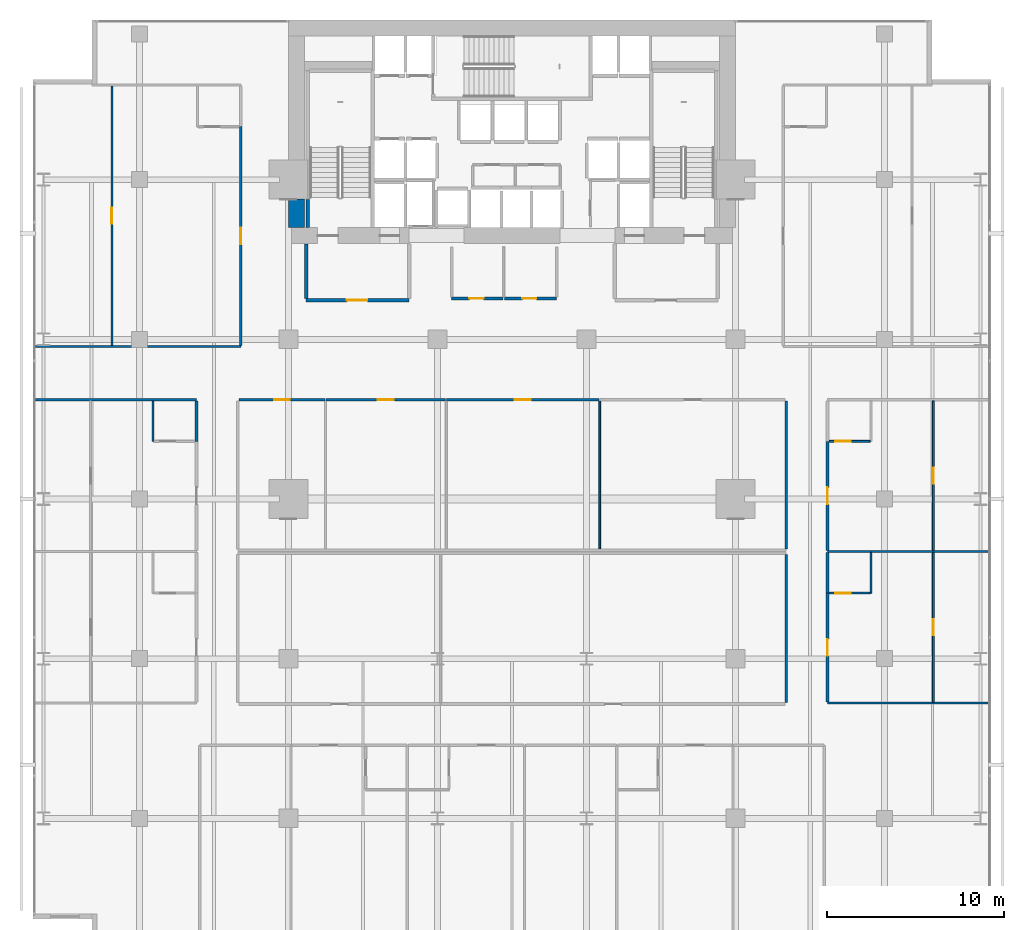
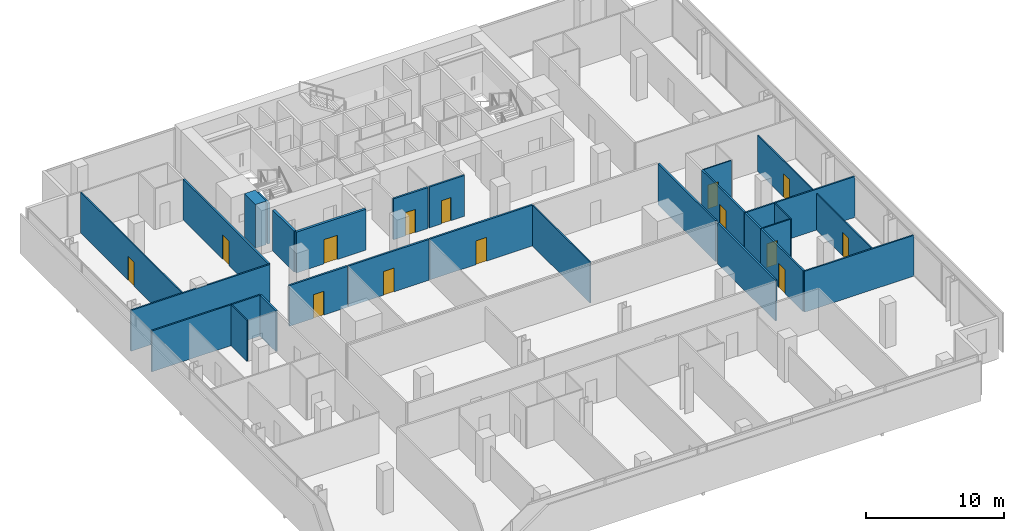
# One storey, part 34 of 40: 28 walls, 14 doors, 14 openings.
"""IFC4 building model written with IfcOpenShell, lengths in metres."""

from ifc_helpers import new_model, si_unit, direction, frame, frame_2d, origin, place, context, subcontext, project, spatial, rectangle, extrude, material, layer, layer_set, type_object, element, fill, save


model = new_model("IFC4")

# Units and contexts
model_context = context("Model", 3, precision=1e-05, world=origin(), true_north=direction((0.0, 1.0)))
body_context = subcontext(model_context, "Body", "Model", "MODEL_VIEW")
ifc_project = project(units=[si_unit("LENGTHUNIT", "METRE"), si_unit("AREAUNIT", "SQUARE_METRE"), si_unit("VOLUMEUNIT", "CUBIC_METRE"), si_unit("PLANEANGLEUNIT", "RADIAN"), si_unit("MASSUNIT", "GRAM", prefix="KILO")], contexts=[model_context])

# Site, building, storey
site_placement = place(None, origin())
site = spatial("IfcSite", under=ifc_project, at=site_placement, CompositionType="ELEMENT")
building_placement = place(site_placement, origin())
building = spatial("IfcBuilding", under=site, at=building_placement, Name="Maruvema Waterfront Hotel and Observation Tower", CompositionType="ELEMENT")
storey_placement = place(building_placement, frame((0.0, 0.0, 73.14990234375)))
storey = spatial("IfcBuildingStorey", under=building, at=storey_placement, Name="L17", CompositionType="ELEMENT", Elevation=73.14990234375)

# Wall, opening, door
ifc_material_1 = material(Name="Twin-stud acoustic gypsum drywall", Category="gypsum")
ifc_layer_1 = layer(ifc_material_1, 0.14990234375, Name="Acoustic Corridor and Suite Demising Wall 150 mm")
ifc_layer_set_1 = layer_set([ifc_layer_1], Name="Twin-stud acoustic gypsum drywall")
wall_type_1 = type_object("IfcWallType", Name="Acoustic Corridor and Suite Demising Wall 150 mm", PredefinedType="PARTITIONING", material=ifc_layer_set_1)
wall_1_placement = place(storey_placement, frame((34.39990234375, 38.300048828125, 0.0), z_axis=(0.0, 0.0, 1.0), x_axis=(1.0, 0.0, 0.0)))
wall_1 = element("IfcWall", 1, at=wall_1_placement, inside=storey, type_object=wall_type_1, Name="L17 Core Apron K2A South 017", PredefinedType="PARTITIONING", context=body_context, shape_type="SweptSolid", body=[
    extrude(rectangle(XDim=2.880126953125, YDim=0.14990234375, at=frame_2d((1.43994140625, 0.0))), origin(), (0.0, 0.0, 1.0), 3.610107421875),
])
opening_1_placement = place(wall_1_placement, frame((1.0, 0.0, 0.0)))
opening_1 = element("IfcOpeningElement", 2, at=opening_1_placement, cuts=wall_1, Name="Opening DR-080", PredefinedType="OPENING", context=body_context, shape_type="SweptSolid", body=[
    extrude(rectangle(XDim=0.800048828125, YDim=2.050048828125, at=frame_2d((0.39990234375, 1.02490234375))), frame((0.0, 0.0849609375, 0.0), z_axis=(0.0, -1.0, 0.0), x_axis=(1.0, 0.0, 0.0)), (0.0, 0.0, 1.0), 0.169921875),
])
ifc_material_2 = material(Name="Powder-coated steel access leaf", Category="steel")
door_type_1 = type_object("IfcDoorType", Name="Riser and Service Cupboard Door 800x2050 mm", OperationType="NOTDEFINED", PredefinedType="DOOR", material=ifc_material_2)
door_1_placement = place(opening_1_placement, frame((0.800048828125, 0.0, 0.0), z_axis=(0.0, 0.0, 1.0), x_axis=(-1.0, 0.0, 0.0)))
door_1 = element("IfcDoor", 3, at=door_1_placement, inside=storey, type_object=door_type_1, Name="L17 Core Ice Alcove Door", OperationType="SINGLE_SWING_RIGHT", OverallHeight=2.050048828125, OverallWidth=0.800048828125, PredefinedType="DOOR", context=body_context, shape_type="SweptSolid", body=[
    extrude(rectangle(XDim=0.800048828125, YDim=2.050048828125, at=frame_2d((0.39990234375, 1.02490234375))), frame((0.0, 0.02490234375, 0.0), z_axis=(0.0, -1.0, 0.0), x_axis=(1.0, 0.0, 0.0)), (0.0, 0.0, 1.0), 0.050048828125),
])
fill(opening_1, door_1)

wall_2_placement = place(storey_placement, frame((37.3798828125, 38.300048828125, 0.0), z_axis=(0.0, 0.0, 1.0), x_axis=(1.0, 0.0, 0.0)))
wall_2 = element("IfcWall", 4, at=wall_2_placement, inside=storey, type_object=wall_type_1, Name="L17 Core Apron K2B South 018", PredefinedType="PARTITIONING", context=body_context, shape_type="SweptSolid", body=[
    extrude(rectangle(XDim=2.940185546875, YDim=0.14990234375, at=frame_2d((1.47021484375, 0.0))), origin(), (0.0, 0.0, 1.0), 3.610107421875),
])
opening_2_placement = place(wall_2_placement, frame((1.0, 0.0, 0.0)))
opening_2 = element("IfcOpeningElement", 5, at=opening_2_placement, cuts=wall_2, Name="Opening DR-080", PredefinedType="OPENING", context=body_context, shape_type="SweptSolid", body=[
    extrude(rectangle(XDim=0.800048828125, YDim=2.050048828125, at=frame_2d((0.39990234375, 1.02490234375))), frame((0.0, 0.0849609375, 0.0), z_axis=(0.0, -1.0, 0.0), x_axis=(1.0, 0.0, 0.0)), (0.0, 0.0, 1.0), 0.169921875),
])
door_2_placement = place(opening_2_placement, frame((0.800048828125, 0.0, 0.0), z_axis=(0.0, 0.0, 1.0), x_axis=(-1.0, 0.0, 0.0)))
door_2 = element("IfcDoor", 6, at=door_2_placement, inside=storey, type_object=door_type_1, Name="L17 Core Valet Closet Door", OperationType="SINGLE_SWING_LEFT", OverallHeight=2.050048828125, OverallWidth=0.800048828125, PredefinedType="DOOR", context=body_context, shape_type="SweptSolid", body=[
    extrude(rectangle(XDim=0.800048828125, YDim=2.050048828125, at=frame_2d((0.39990234375, 1.02490234375))), frame((0.0, 0.02490234375, 0.0), z_axis=(0.0, -1.0, 0.0), x_axis=(1.0, 0.0, 0.0)), (0.0, 0.0, 1.0), 0.050048828125),
])
fill(opening_2, door_2)

# Wall
wall_3_placement = place(storey_placement, frame((53.25, 24.18994140625, 0.0), z_axis=(0.0, 0.0, 1.0), x_axis=(0.0, 1.0, 0.0)))
element("IfcWall", 7, at=wall_3_placement, inside=storey, type_object=wall_type_1, Name="L17 L17-INTN East Wall 024", PredefinedType="PARTITIONING", context=body_context, shape_type="SweptSolid", body=[
    extrude(rectangle(XDim=8.330078125, YDim=0.14990234375, at=frame_2d((4.1650390625, 0.0))), origin(), (0.0, 0.0, 1.0), 3.610107421875),
])

# Wall, opening, door
wall_4_placement = place(storey_placement, frame((22.409912109375, 32.60009765625, 0.0), z_axis=(0.0, 0.0, 1.0), x_axis=(1.0, 0.0, 0.0)))
wall_4 = element("IfcWall", 8, at=wall_4_placement, inside=storey, type_object=wall_type_1, Name="L17 L17-INTN Front 1 025", PredefinedType="PARTITIONING", context=body_context, shape_type="SweptSolid", body=[
    extrude(rectangle(XDim=4.85400390625, YDim=0.14990234375, at=frame_2d((2.427001953125, 0.0))), origin(), (0.0, 0.0, 1.0), 3.610107421875),
])
opening_3_placement = place(wall_4_placement, frame((1.97705078125, 0.0, 0.0)))
opening_3 = element("IfcOpeningElement", 9, at=opening_3_placement, cuts=wall_4, Name="Opening DR-090", PredefinedType="OPENING", context=body_context, shape_type="SweptSolid", body=[
    extrude(rectangle(XDim=0.89990234375, YDim=2.10009765625, at=frame_2d((0.449951171875, 1.050048828125))), frame((0.0, 0.0849609375, 0.0), z_axis=(0.0, -1.0, 0.0), x_axis=(1.0, 0.0, 0.0)), (0.0, 0.0, 1.0), 0.169921875),
])
ifc_material_3 = material(Name="Solid-core lacquered timber leaf", Category="wood")
door_type_2 = type_object("IfcDoorType", Name="Accessible Toilet and Room Door 900x2100 mm", OperationType="NOTDEFINED", PredefinedType="DOOR", material=ifc_material_3)
door_3_placement = place(opening_3_placement, origin())
door_3 = element("IfcDoor", 10, at=door_3_placement, inside=storey, type_object=door_type_2, Name="L17 Diplomatic Dining Kitchen Door", OperationType="SINGLE_SWING_RIGHT", OverallHeight=2.10009765625, OverallWidth=0.89990234375, PredefinedType="DOOR", context=body_context, shape_type="SweptSolid", body=[
    extrude(rectangle(XDim=0.89990234375, YDim=2.10009765625, at=frame_2d((0.449951171875, 1.050048828125))), frame((0.0, 0.02490234375, 0.0), z_axis=(0.0, -1.0, 0.0), x_axis=(1.0, 0.0, 0.0)), (0.0, 0.0, 1.0), 0.050048828125),
])
fill(opening_3, door_3)

wall_5_placement = place(storey_placement, frame((27.323974609375, 32.60009765625, 0.0), z_axis=(0.0, 0.0, 1.0), x_axis=(1.0, 0.0, 0.0)))
wall_5 = element("IfcWall", 11, at=wall_5_placement, inside=storey, type_object=wall_type_1, Name="L17 L17-INTN Front 2 027", PredefinedType="PARTITIONING", context=body_context, shape_type="SweptSolid", body=[
    extrude(rectangle(XDim=6.738037109375, YDim=0.14990234375, at=frame_2d((3.369140625, 0.0))), origin(), (0.0, 0.0, 1.0), 3.610107421875),
])
opening_4_placement = place(wall_5_placement, frame((2.9189453125, 0.0, 0.0)))
opening_4 = element("IfcOpeningElement", 12, at=opening_4_placement, cuts=wall_5, Name="Opening DR-090", PredefinedType="OPENING", context=body_context, shape_type="SweptSolid", body=[
    extrude(rectangle(XDim=0.89990234375, YDim=2.10009765625, at=frame_2d((0.449951171875, 1.050048828125))), frame((0.0, 0.0849609375, 0.0), z_axis=(0.0, -1.0, 0.0), x_axis=(1.0, 0.0, 0.0)), (0.0, 0.0, 1.0), 0.169921875),
])
door_4_placement = place(opening_4_placement, origin())
door_4 = element("IfcDoor", 13, at=door_4_placement, inside=storey, type_object=door_type_2, Name="L17 Private Study Office 1 Door", OperationType="SINGLE_SWING_LEFT", OverallHeight=2.10009765625, OverallWidth=0.89990234375, PredefinedType="DOOR", context=body_context, shape_type="SweptSolid", body=[
    extrude(rectangle(XDim=0.89990234375, YDim=2.10009765625, at=frame_2d((0.449951171875, 1.050048828125))), frame((0.0, 0.02490234375, 0.0), z_axis=(0.0, -1.0, 0.0), x_axis=(1.0, 0.0, 0.0)), (0.0, 0.0, 1.0), 0.050048828125),
])
fill(opening_4, door_4)

wall_6_placement = place(storey_placement, frame((34.1220703125, 32.60009765625, 0.0), z_axis=(0.0, 0.0, 1.0), x_axis=(1.0, 0.0, 0.0)))
wall_6 = element("IfcWall", 14, at=wall_6_placement, inside=storey, type_object=wall_type_1, Name="L17 L17-INTN Front 3 029", PredefinedType="PARTITIONING", context=body_context, shape_type="SweptSolid", body=[
    extrude(rectangle(XDim=8.592041015625, YDim=0.14990234375, at=frame_2d((4.2958984375, 0.0))), origin(), (0.0, 0.0, 1.0), 3.610107421875),
])
opening_5_placement = place(wall_6_placement, frame((3.845947265625, 0.0, 0.0)))
opening_5 = element("IfcOpeningElement", 15, at=opening_5_placement, cuts=wall_6, Name="Opening DR-090", PredefinedType="OPENING", context=body_context, shape_type="SweptSolid", body=[
    extrude(rectangle(XDim=0.89990234375, YDim=2.10009765625, at=frame_2d((0.449951171875, 1.050048828125))), frame((0.0, 0.0849609375, 0.0), z_axis=(0.0, -1.0, 0.0), x_axis=(1.0, 0.0, 0.0)), (0.0, 0.0, 1.0), 0.169921875),
])
door_5_placement = place(opening_5_placement, origin())
door_5 = element("IfcDoor", 16, at=door_5_placement, inside=storey, type_object=door_type_2, Name="L17 Private Study Office 2 Door", OperationType="SINGLE_SWING_RIGHT", OverallHeight=2.10009765625, OverallWidth=0.89990234375, PredefinedType="DOOR", context=body_context, shape_type="SweptSolid", body=[
    extrude(rectangle(XDim=0.89990234375, YDim=2.10009765625, at=frame_2d((0.449951171875, 1.050048828125))), frame((0.0, 0.02490234375, 0.0), z_axis=(0.0, -1.0, 0.0), x_axis=(1.0, 0.0, 0.0)), (0.0, 0.0, 1.0), 0.050048828125),
])
fill(opening_5, door_5)

# Wall
wall_7_placement = place(storey_placement, frame((53.25, 15.530029296875, 0.0), z_axis=(0.0, 0.0, 1.0), x_axis=(0.0, 1.0, 0.0)))
element("IfcWall", 17, at=wall_7_placement, inside=storey, type_object=wall_type_1, Name="L17 L17-INTS East Wall 034", PredefinedType="PARTITIONING", context=body_context, shape_type="SweptSolid", body=[
    extrude(rectangle(XDim=8.340087890625, YDim=0.14990234375, at=frame_2d((4.169921875, 0.0))), origin(), (0.0, 0.0, 1.0), 3.610107421875),
])

# Wall, opening, door
wall_8_placement = place(storey_placement, frame((55.580078125, 15.56005859375, 0.0), z_axis=(0.0, 0.0, 1.0), x_axis=(0.0, 1.0, 0.0)))
wall_8 = element("IfcWall", 18, at=wall_8_placement, inside=storey, type_object=wall_type_1, Name="L17 Room L17-E1 Corridor Wall 069", PredefinedType="PARTITIONING", context=body_context, shape_type="SweptSolid", body=[
    extrude(rectangle(XDim=6.139892578125, YDim=0.14990234375, at=frame_2d((3.06982421875, 0.0))), origin(), (0.0, 0.0, 1.0), 3.610107421875),
])
opening_6_placement = place(wall_8_placement, frame((2.594970703125, 0.0, 0.0)))
opening_6 = element("IfcOpeningElement", 19, at=opening_6_placement, cuts=wall_8, Name="Opening DR-095", PredefinedType="OPENING", context=body_context, shape_type="SweptSolid", body=[
    extrude(rectangle(XDim=0.949951171875, YDim=2.14990234375, at=frame_2d((0.47509765625, 1.074951171875))), frame((0.0, 0.0849609375, 0.0), z_axis=(0.0, -1.0, 0.0), x_axis=(1.0, 0.0, 0.0)), (0.0, 0.0, 1.0), 0.169921875),
])
ifc_material_4 = material(Name="Acoustic solid-core hardwood timber leaf", Category="wood")
door_type_3 = type_object("IfcDoorType", Name="Guestroom Entrance Fire Door 950x2150 mm", OperationType="NOTDEFINED", PredefinedType="DOOR", material=ifc_material_4)
door_6_placement = place(opening_6_placement, frame((0.949951171875, 0.0, 0.0), z_axis=(0.0, 0.0, 1.0), x_axis=(-1.0, 0.0, 0.0)))
door_6 = element("IfcDoor", 20, at=door_6_placement, inside=storey, type_object=door_type_3, Name="L17 Room L17-E1 Entrance Door", OperationType="SINGLE_SWING_LEFT", OverallHeight=2.14990234375, OverallWidth=0.949951171875, PredefinedType="DOOR", context=body_context, shape_type="SweptSolid", body=[
    extrude(rectangle(XDim=0.949951171875, YDim=2.14990234375, at=frame_2d((0.47509765625, 1.074951171875))), frame((0.0, 0.02490234375, 0.0), z_axis=(0.0, -1.0, 0.0), x_axis=(1.0, 0.0, 0.0)), (0.0, 0.0, 1.0), 0.050048828125),
])
fill(opening_6, door_6)

# Walls
for number, where, z_axis, x_axis, name in (
    (21, (55.580078125, 21.699951171875, 0.0), (0.0, 0.0, 1.0), (0.0, 1.0, 0.0), "L17 Bath L17-E1 Wall 070"),
    (22, (20.02001953125, 30.25, 0.0), (0.0, 0.0, 1.0), (0.0, 1.0, 0.0), "L17 Bath L17-W2 Wall 077"),
):
    element("IfcWall", number, at=place(storey_placement, frame(where, z_axis=z_axis, x_axis=x_axis)), inside=storey, type_object=wall_type_1, Name=name, PredefinedType="PARTITIONING", context=body_context, shape_type="SweptSolid", body=[
        extrude(rectangle(XDim=2.2900390625, YDim=0.14990234375, at=frame_2d((1.14501953125, 0.0))), origin(), (0.0, 0.0, 1.0), 3.610107421875),
    ])

# Wall, opening, door
wall_9_placement = place(storey_placement, frame((55.580078125, 24.110107421875, 0.0), z_axis=(0.0, 0.0, 1.0), x_axis=(0.0, 1.0, 0.0)))
wall_9 = element("IfcWall", 23, at=wall_9_placement, inside=storey, type_object=wall_type_1, Name="L17 Room L17-E2 Corridor Wall 081", PredefinedType="PARTITIONING", context=body_context, shape_type="SweptSolid", body=[
    extrude(rectangle(XDim=6.139892578125, YDim=0.14990234375, at=frame_2d((3.06982421875, 0.0))), origin(), (0.0, 0.0, 1.0), 3.610107421875),
])
opening_7_placement = place(wall_9_placement, frame((2.594970703125, 0.0, 0.0)))
opening_7 = element("IfcOpeningElement", 24, at=opening_7_placement, cuts=wall_9, Name="Opening DR-095", PredefinedType="OPENING", context=body_context, shape_type="SweptSolid", body=[
    extrude(rectangle(XDim=0.949951171875, YDim=2.14990234375, at=frame_2d((0.47509765625, 1.074951171875))), frame((0.0, 0.0849609375, 0.0), z_axis=(0.0, -1.0, 0.0), x_axis=(1.0, 0.0, 0.0)), (0.0, 0.0, 1.0), 0.169921875),
])
door_7_placement = place(opening_7_placement, frame((0.949951171875, 0.0, 0.0), z_axis=(0.0, 0.0, 1.0), x_axis=(-1.0, 0.0, 0.0)))
door_7 = element("IfcDoor", 25, at=door_7_placement, inside=storey, type_object=door_type_3, Name="L17 Room L17-E2 Entrance Door", OperationType="SINGLE_SWING_LEFT", OverallHeight=2.14990234375, OverallWidth=0.949951171875, PredefinedType="DOOR", context=body_context, shape_type="SweptSolid", body=[
    extrude(rectangle(XDim=0.949951171875, YDim=2.14990234375, at=frame_2d((0.47509765625, 1.074951171875))), frame((0.0, 0.02490234375, 0.0), z_axis=(0.0, -1.0, 0.0), x_axis=(1.0, 0.0, 0.0)), (0.0, 0.0, 1.0), 0.050048828125),
])
fill(opening_7, door_7)

wall_10_placement = place(storey_placement, frame((22.52001953125, 35.659912109375, 0.0), z_axis=(0.0, 0.0, 1.0), x_axis=(0.0, 1.0, 0.0)))
wall_10 = element("IfcWall", 26, at=wall_10_placement, inside=storey, type_object=wall_type_1, Name="L17 Room L17-NW1 Corridor Wall 090", PredefinedType="PARTITIONING", context=body_context, shape_type="SweptSolid", body=[
    extrude(rectangle(XDim=12.32763671875, YDim=0.14990234375, at=frame_2d((6.163818359375, 0.0))), origin(), (0.0, 0.0, 1.0), 3.610107421875),
])
opening_8_placement = place(wall_10_placement, frame((5.688720703125, 0.0, 0.0)))
opening_8 = element("IfcOpeningElement", 27, at=opening_8_placement, cuts=wall_10, Name="Opening DR-095", PredefinedType="OPENING", context=body_context, shape_type="SweptSolid", body=[
    extrude(rectangle(XDim=0.949951171875, YDim=2.14990234375, at=frame_2d((0.47509765625, 1.074951171875))), frame((0.0, 0.0849609375, 0.0), z_axis=(0.0, -1.0, 0.0), x_axis=(1.0, 0.0, 0.0)), (0.0, 0.0, 1.0), 0.169921875),
])
door_8_placement = place(opening_8_placement, origin())
door_8 = element("IfcDoor", 28, at=door_8_placement, inside=storey, type_object=door_type_3, Name="L17 Room L17-NW1 Entrance Door", OperationType="SINGLE_SWING_RIGHT", OverallHeight=2.14990234375, OverallWidth=0.949951171875, PredefinedType="DOOR", context=body_context, shape_type="SweptSolid", body=[
    extrude(rectangle(XDim=0.949951171875, YDim=2.14990234375, at=frame_2d((0.47509765625, 1.074951171875))), frame((0.0, 0.02490234375, 0.0), z_axis=(0.0, -1.0, 0.0), x_axis=(1.0, 0.0, 0.0)), (0.0, 0.0, 1.0), 0.050048828125),
])
fill(opening_8, door_8)

# Walls
ifc_material_5 = material(Name="Precast concrete C45/55", Category="concrete")
ifc_layer_2 = layer(ifc_material_5, 0.199951171875, Name="Core Shaft and Stairwell Enclosure Wall 200 mm")
ifc_layer_set_2 = layer_set([ifc_layer_2], Name="Precast concrete C45/55")
wall_type_2 = type_object("IfcWallType", Name="Core Shaft and Stairwell Enclosure Wall 200 mm", PredefinedType="SOLIDWALL", material=ifc_layer_set_2)
wall_11_placement = place(storey_placement, frame((26.300048828125, 42.300048828125, 0.0), z_axis=(0.0, 0.0, 1.0), x_axis=(0.0, 1.0, 0.0)))
element("IfcWall", 29, at=wall_11_placement, inside=storey, type_object=wall_type_2, Name="L17 Stairwell ST-01 Shaft Lining Wall", PredefinedType="SOLIDWALL", context=body_context, shape_type="SweptSolid", body=[
    extrude(rectangle(XDim=1.579833984375, YDim=0.199951171875, at=frame_2d((0.7900390625, 0.0))), origin(), (0.0, 0.0, 1.0), 3.610107421875),
])
ifc_material_6 = material(Name="Concrete C80/95", Category="concrete")
ifc_layer_3 = layer(ifc_material_6, 0.89990234375, Name="Core Shear Wall 900 mm")
ifc_layer_set_3 = layer_set([ifc_layer_3], Name="Concrete C80/95")
wall_type_3 = type_object("IfcWallType", Name="Core Shear Wall 900 mm", PredefinedType="SHEAR", material=ifc_layer_set_3)
wall_12_placement = place(storey_placement, frame((25.64990234375, 42.300048828125, 0.0), z_axis=(0.0, 0.0, 1.0), x_axis=(0.0, 1.0, 0.0)))
element("IfcWall", 30, at=wall_12_placement, inside=storey, type_object=wall_type_3, Name="L17 West-South Core Shear Wall", PredefinedType="SHEAR", context=body_context, shape_type="SweptSolid", body=[
    extrude(rectangle(XDim=1.599853515625, YDim=0.89990234375, at=frame_2d((0.7998046875, 0.0))), origin(), (0.0, 0.0, 1.0), 3.85009765625),
])
ifc_material_7 = material(Name="Moisture-resistant cement-board drywall", Category="gypsum")
ifc_layer_4 = layer(ifc_material_7, 0.10009765625, Name="En-Suite Moisture-Resistant Partition 100 mm")
ifc_layer_set_4 = layer_set([ifc_layer_4], Name="Moisture-resistant cement-board drywall")
wall_type_4 = type_object("IfcWallType", Name="En-Suite Moisture-Resistant Partition 100 mm", PredefinedType="PARTITIONING", material=ifc_layer_set_4)
wall_13_placement = place(storey_placement, frame((42.743896484375, 24.18994140625, 0.0), z_axis=(0.0, 0.0, 1.0), x_axis=(0.0, 1.0, 0.0)))
element("IfcWall", 31, at=wall_13_placement, inside=storey, type_object=wall_type_4, Name="L17 L17-INTN Split 3 030", PredefinedType="PARTITIONING", context=body_context, shape_type="SweptSolid", body=[
    extrude(rectangle(XDim=8.330078125, YDim=0.10009765625, at=frame_2d((4.1650390625, 0.0))), origin(), (0.0, 0.0, 1.0), 3.610107421875),
])
wall_14_placement = place(storey_placement, frame((58.030029296875, 21.699951171875, 0.0), z_axis=(0.0, 0.0, 1.0), x_axis=(0.0, 1.0, 0.0)))
element("IfcWall", 32, at=wall_14_placement, inside=storey, type_object=wall_type_4, Name="L17 En-Suite L17-E1 E 071", PredefinedType="PARTITIONING", context=body_context, shape_type="SweptSolid", body=[
    extrude(rectangle(XDim=2.2900390625, YDim=0.10009765625, at=frame_2d((1.14501953125, 0.0))), origin(), (0.0, 0.0, 1.0), 3.610107421875),
])

# Wall, opening, door
wall_15_placement = place(storey_placement, frame((55.679931640625, 21.699951171875, 0.0), z_axis=(0.0, 0.0, 1.0), x_axis=(1.0, 0.0, 0.0)))
wall_15 = element("IfcWall", 33, at=wall_15_placement, inside=storey, type_object=wall_type_4, Name="L17 En-Suite L17-E1 S 072", PredefinedType="PARTITIONING", context=body_context, shape_type="SweptSolid", body=[
    extrude(rectangle(XDim=2.300048828125, YDim=0.10009765625, at=frame_2d((1.14990234375, 0.0))), origin(), (0.0, 0.0, 1.0), 3.610107421875),
])
opening_9_placement = place(wall_15_placement, frame((0.35009765625, 0.0, 0.0)))
opening_9 = element("IfcOpeningElement", 34, at=opening_9_placement, cuts=wall_15, Name="Opening DR-085", PredefinedType="OPENING", context=body_context, shape_type="SweptSolid", body=[
    extrude(rectangle(XDim=0.85009765625, YDim=2.10009765625, at=frame_2d((0.425048828125, 1.050048828125))), frame((0.0, 0.06005859375, 0.0), z_axis=(0.0, -1.0, 0.0), x_axis=(1.0, 0.0, 0.0)), (0.0, 0.0, 1.0), 0.1201171875),
])
ifc_material_8 = material(Name="Moisture-resistant solid timber leaf", Category="wood")
door_type_4 = type_object("IfcDoorType", Name="En-Suite Bathroom Door 850x2100 mm", OperationType="NOTDEFINED", PredefinedType="DOOR", material=ifc_material_8)
door_9_placement = place(opening_9_placement, frame((0.85009765625, 0.0, 0.0), z_axis=(0.0, 0.0, 1.0), x_axis=(-1.0, 0.0, 0.0)))
door_9 = element("IfcDoor", 35, at=door_9_placement, inside=storey, type_object=door_type_4, Name="L17 En-Suite L17-E1 Door", OperationType="SINGLE_SWING_RIGHT", OverallHeight=2.10009765625, OverallWidth=0.85009765625, PredefinedType="DOOR", context=body_context, shape_type="SweptSolid", body=[
    extrude(rectangle(XDim=0.85009765625, YDim=2.10009765625, at=frame_2d((0.425048828125, 1.050048828125))), frame((0.0, 0.02490234375, 0.0), z_axis=(0.0, -1.0, 0.0), x_axis=(1.0, 0.0, 0.0)), (0.0, 0.0, 1.0), 0.050048828125),
])
fill(opening_9, door_9)

wall_16_placement = place(storey_placement, frame((61.55029296875, 15.56005859375, 0.0), z_axis=(0.0, 0.0, 1.0), x_axis=(0.0, 1.0, 0.0)))
wall_16 = element("IfcWall", 36, at=wall_16_placement, inside=storey, type_object=wall_type_4, Name="L17 Suite L17-E1 Split 073", PredefinedType="PARTITIONING", context=body_context, shape_type="SweptSolid", body=[
    extrude(rectangle(XDim=8.429931640625, YDim=0.10009765625, at=frame_2d((4.21484375, 0.0))), origin(), (0.0, 0.0, 1.0), 3.20703125),
])
opening_10_placement = place(wall_16_placement, frame((3.764892578125, 0.0, 0.0)))
opening_10 = element("IfcOpeningElement", 37, at=opening_10_placement, cuts=wall_16, Name="Opening DR-090", PredefinedType="OPENING", context=body_context, shape_type="SweptSolid", body=[
    extrude(rectangle(XDim=0.89990234375, YDim=2.10009765625, at=frame_2d((0.449951171875, 1.050048828125))), frame((0.0, 0.06005859375, 0.0), z_axis=(0.0, -1.0, 0.0), x_axis=(1.0, 0.0, 0.0)), (0.0, 0.0, 1.0), 0.1201171875),
])
door_10_placement = place(opening_10_placement, frame((0.89990234375, 0.0, 0.0), z_axis=(0.0, 0.0, 1.0), x_axis=(-1.0, 0.0, 0.0)))
door_10 = element("IfcDoor", 38, at=door_10_placement, inside=storey, type_object=door_type_2, Name="L17 Suite L17-E1 Bedroom Door", OperationType="SINGLE_SWING_RIGHT", OverallHeight=2.10009765625, OverallWidth=0.89990234375, PredefinedType="DOOR", context=body_context, shape_type="SweptSolid", body=[
    extrude(rectangle(XDim=0.89990234375, YDim=2.10009765625, at=frame_2d((0.449951171875, 1.050048828125))), frame((0.0, 0.02490234375, 0.0), z_axis=(0.0, -1.0, 0.0), x_axis=(1.0, 0.0, 0.0)), (0.0, 0.0, 1.0), 0.050048828125),
])
fill(opening_10, door_10)

# Wall
wall_17_placement = place(storey_placement, frame((17.570068359375, 30.25, 0.0), z_axis=(0.0, 0.0, 1.0), x_axis=(0.0, 1.0, 0.0)))
element("IfcWall", 39, at=wall_17_placement, inside=storey, type_object=wall_type_4, Name="L17 En-Suite L17-W2 W 078", PredefinedType="PARTITIONING", context=body_context, shape_type="SweptSolid", body=[
    extrude(rectangle(XDim=2.2900390625, YDim=0.10009765625, at=frame_2d((1.14501953125, 0.0))), origin(), (0.0, 0.0, 1.0), 3.610107421875),
])

# Wall, opening, door
wall_18_placement = place(storey_placement, frame((55.679931640625, 30.25, 0.0), z_axis=(0.0, 0.0, 1.0), x_axis=(1.0, 0.0, 0.0)))
wall_18 = element("IfcWall", 40, at=wall_18_placement, inside=storey, type_object=wall_type_4, Name="L17 En-Suite L17-E2 S 084", PredefinedType="PARTITIONING", context=body_context, shape_type="SweptSolid", body=[
    extrude(rectangle(XDim=2.300048828125, YDim=0.10009765625, at=frame_2d((1.14990234375, 0.0))), origin(), (0.0, 0.0, 1.0), 3.610107421875),
])
opening_11_placement = place(wall_18_placement, frame((0.35009765625, 0.0, 0.0)))
opening_11 = element("IfcOpeningElement", 41, at=opening_11_placement, cuts=wall_18, Name="Opening DR-085", PredefinedType="OPENING", context=body_context, shape_type="SweptSolid", body=[
    extrude(rectangle(XDim=0.85009765625, YDim=2.10009765625, at=frame_2d((0.425048828125, 1.050048828125))), frame((0.0, 0.06005859375, 0.0), z_axis=(0.0, -1.0, 0.0), x_axis=(1.0, 0.0, 0.0)), (0.0, 0.0, 1.0), 0.1201171875),
])
door_11_placement = place(opening_11_placement, frame((0.85009765625, 0.0, 0.0), z_axis=(0.0, 0.0, 1.0), x_axis=(-1.0, 0.0, 0.0)))
door_11 = element("IfcDoor", 42, at=door_11_placement, inside=storey, type_object=door_type_4, Name="L17 En-Suite L17-E2 Door", OperationType="SINGLE_SWING_RIGHT", OverallHeight=2.10009765625, OverallWidth=0.85009765625, PredefinedType="DOOR", context=body_context, shape_type="SweptSolid", body=[
    extrude(rectangle(XDim=0.85009765625, YDim=2.10009765625, at=frame_2d((0.425048828125, 1.050048828125))), frame((0.0, 0.02490234375, 0.0), z_axis=(0.0, -1.0, 0.0), x_axis=(1.0, 0.0, 0.0)), (0.0, 0.0, 1.0), 0.050048828125),
])
fill(opening_11, door_11)

wall_19_placement = place(storey_placement, frame((61.55029296875, 24.110107421875, 0.0), z_axis=(0.0, 0.0, 1.0), x_axis=(0.0, 1.0, 0.0)))
wall_19 = element("IfcWall", 43, at=wall_19_placement, inside=storey, type_object=wall_type_4, Name="L17 Suite L17-E2 Split 085", PredefinedType="PARTITIONING", context=body_context, shape_type="SweptSolid", body=[
    extrude(rectangle(XDim=8.429931640625, YDim=0.10009765625, at=frame_2d((4.21484375, 0.0))), origin(), (0.0, 0.0, 1.0), 3.20703125),
])
opening_12_placement = place(wall_19_placement, frame((3.764892578125, 0.0, 0.0)))
opening_12 = element("IfcOpeningElement", 44, at=opening_12_placement, cuts=wall_19, Name="Opening DR-090", PredefinedType="OPENING", context=body_context, shape_type="SweptSolid", body=[
    extrude(rectangle(XDim=0.89990234375, YDim=2.10009765625, at=frame_2d((0.449951171875, 1.050048828125))), frame((0.0, 0.06005859375, 0.0), z_axis=(0.0, -1.0, 0.0), x_axis=(1.0, 0.0, 0.0)), (0.0, 0.0, 1.0), 0.1201171875),
])
door_12_placement = place(opening_12_placement, frame((0.89990234375, 0.0, 0.0), z_axis=(0.0, 0.0, 1.0), x_axis=(-1.0, 0.0, 0.0)))
door_12 = element("IfcDoor", 45, at=door_12_placement, inside=storey, type_object=door_type_2, Name="L17 Suite L17-E2 Bedroom Door", OperationType="SINGLE_SWING_RIGHT", OverallHeight=2.10009765625, OverallWidth=0.89990234375, PredefinedType="DOOR", context=body_context, shape_type="SweptSolid", body=[
    extrude(rectangle(XDim=0.89990234375, YDim=2.10009765625, at=frame_2d((0.449951171875, 1.050048828125))), frame((0.0, 0.02490234375, 0.0), z_axis=(0.0, -1.0, 0.0), x_axis=(1.0, 0.0, 0.0)), (0.0, 0.0, 1.0), 0.050048828125),
])
fill(opening_12, door_12)

wall_20_placement = place(storey_placement, frame((15.24951171875, 35.659912109375, 0.0), z_axis=(0.0, 0.0, 1.0), x_axis=(0.0, 1.0, 0.0)))
wall_20 = element("IfcWall", 46, at=wall_20_placement, inside=storey, type_object=wall_type_4, Name="L17 Suite L17-NW1 Split 094", PredefinedType="PARTITIONING", context=body_context, shape_type="SweptSolid", body=[
    extrude(rectangle(XDim=14.61767578125, YDim=0.10009765625, at=frame_2d((7.308837890625, 0.0))), origin(), (0.0, 0.0, 1.0), 3.610107421875),
])
opening_13_placement = place(wall_20_placement, frame((6.85888671875, 0.0, 0.0)))
opening_13 = element("IfcOpeningElement", 47, at=opening_13_placement, cuts=wall_20, Name="Opening DR-090", PredefinedType="OPENING", context=body_context, shape_type="SweptSolid", body=[
    extrude(rectangle(XDim=0.89990234375, YDim=2.10009765625, at=frame_2d((0.449951171875, 1.050048828125))), frame((0.0, 0.06005859375, 0.0), z_axis=(0.0, -1.0, 0.0), x_axis=(1.0, 0.0, 0.0)), (0.0, 0.0, 1.0), 0.1201171875),
])
door_13_placement = place(opening_13_placement, origin())
door_13 = element("IfcDoor", 48, at=door_13_placement, inside=storey, type_object=door_type_2, Name="L17 Suite L17-NW1 Bedroom Door", OperationType="SINGLE_SWING_LEFT", OverallHeight=2.10009765625, OverallWidth=0.89990234375, PredefinedType="DOOR", context=body_context, shape_type="SweptSolid", body=[
    extrude(rectangle(XDim=0.89990234375, YDim=2.10009765625, at=frame_2d((0.449951171875, 1.050048828125))), frame((0.0, 0.02490234375, 0.0), z_axis=(0.0, -1.0, 0.0), x_axis=(1.0, 0.0, 0.0)), (0.0, 0.0, 1.0), 0.050048828125),
])
fill(opening_13, door_13)

ifc_material_9 = material(Name="Autoclaved cellular concrete blockwork", Category="masonry")
ifc_layer_5 = layer(ifc_material_9, 0.199951171875, Name="Fire Compartment Masonry Wall 200 mm")
ifc_layer_set_5 = layer_set([ifc_layer_5], Name="Autoclaved cellular concrete blockwork")
wall_type_5 = type_object("IfcWallType", Name="Fire Compartment Masonry Wall 200 mm", PredefinedType="PARTITIONING", material=ifc_layer_set_5)
wall_21_placement = place(storey_placement, frame((26.199951171875, 38.199951171875, 0.0), z_axis=(0.0, 0.0, 1.0), x_axis=(1.0, 0.0, 0.0)))
wall_21 = element("IfcWall", 49, at=wall_21_placement, inside=storey, type_object=wall_type_5, Name="L17 FFL West South Wall 001", PredefinedType="PARTITIONING", context=body_context, shape_type="SweptSolid", body=[
    extrude(rectangle(XDim=5.800048828125, YDim=0.199951171875, at=frame_2d((2.89990234375, 0.0))), origin(), (0.0, 0.0, 1.0), 3.610107421875),
])
opening_14_placement = place(wall_21_placement, frame((2.300048828125, 0.0, 0.0)))
opening_14 = element("IfcOpeningElement", 50, at=opening_14_placement, cuts=wall_21, Name="Opening FD-115", PredefinedType="OPENING", context=body_context, shape_type="SweptSolid", body=[
    extrude(rectangle(XDim=1.14990234375, YDim=2.14990234375, at=frame_2d((0.574951171875, 1.074951171875))), frame((0.0, 0.10986328125, 0.0), z_axis=(0.0, -1.0, 0.0), x_axis=(1.0, 0.0, 0.0)), (0.0, 0.0, 1.0), 0.219970703125),
])
ifc_material_10 = material(Name="Fire-rated galvanised steel and vision glass", Category="steel")
door_type_5 = type_object("IfcDoorType", Name="Firefighting Lobby Fire Door 1150x2150 mm", OperationType="NOTDEFINED", PredefinedType="DOOR", material=ifc_material_10)
door_14_placement = place(opening_14_placement, frame((1.14990234375, 0.0, 0.0), z_axis=(0.0, 0.0, 1.0), x_axis=(-1.0, 0.0, 0.0)))
door_14 = element("IfcDoor", 51, at=door_14_placement, inside=storey, type_object=door_type_5, Name="L17 Firefighting Lobby West Door", OperationType="SINGLE_SWING_RIGHT", OverallHeight=2.14990234375, OverallWidth=1.14990234375, PredefinedType="DOOR", context=body_context, shape_type="SweptSolid", body=[
    extrude(rectangle(XDim=1.14990234375, YDim=2.14990234375, at=frame_2d((0.574951171875, 1.074951171875))), frame((0.0, 0.02490234375, 0.0), z_axis=(0.0, -1.0, 0.0), x_axis=(1.0, 0.0, 0.0)), (0.0, 0.0, 1.0), 0.050048828125),
])
fill(opening_14, door_14)

# Walls
wall_22_placement = place(storey_placement, frame((26.199951171875, 38.31005859375, 0.0), z_axis=(0.0, 0.0, 1.0), x_axis=(0.0, 1.0, 0.0)))
element("IfcWall", 52, at=wall_22_placement, inside=storey, type_object=wall_type_5, Name="L17 FFL West West Wall 002", PredefinedType="PARTITIONING", context=body_context, shape_type="SweptSolid", body=[
    extrude(rectangle(XDim=3.06982421875, YDim=0.199951171875, at=frame_2d((1.534912109375, 0.0))), origin(), (0.0, 0.0, 1.0), 3.610107421875),
])
ifc_material_11 = material(Name="Acoustic gypsum plasterboard drywall", Category="gypsum")
ifc_layer_6 = layer(ifc_material_11, 0.125, Name="Guestroom Acoustic Demising Wall 125 mm")
ifc_layer_set_6 = layer_set([ifc_layer_6], Name="Acoustic gypsum plasterboard drywall")
wall_type_6 = type_object("IfcWallType", Name="Guestroom Acoustic Demising Wall 125 mm", PredefinedType="PARTITIONING", material=ifc_layer_set_6)
wall_23_placement = place(storey_placement, frame((55.580078125, 15.5, 0.0), z_axis=(0.0, 0.0, 1.0), x_axis=(1.0, 0.0, 0.0)))
element("IfcWall", 53, at=wall_23_placement, inside=storey, type_object=wall_type_6, Name="L17 E Bot End 061", PredefinedType="PARTITIONING", context=body_context, shape_type="SweptSolid", body=[
    extrude(rectangle(XDim=9.119873046875, YDim=0.125, at=frame_2d((4.56005859375, 0.0))), origin(), (0.0, 0.0, 1.0), 3.610107421875),
])
wall_24_placement = place(storey_placement, frame((10.89990234375, 32.60009765625, 0.0), z_axis=(0.0, 0.0, 1.0), x_axis=(1.0, 0.0, 0.0)))
element("IfcWall", 54, at=wall_24_placement, inside=storey, type_object=wall_type_6, Name="L17 W Top End 062", PredefinedType="PARTITIONING", context=body_context, shape_type="SweptSolid", body=[
    extrude(rectangle(XDim=9.1201171875, YDim=0.125, at=frame_2d((4.56005859375, 0.0))), origin(), (0.0, 0.0, 1.0), 3.610107421875),
])
wall_25_placement = place(storey_placement, frame((55.580078125, 24.050048828125, 0.0), z_axis=(0.0, 0.0, 1.0), x_axis=(1.0, 0.0, 0.0)))
element("IfcWall", 55, at=wall_25_placement, inside=storey, type_object=wall_type_6, Name="L17 E Demising 2 075", PredefinedType="PARTITIONING", context=body_context, shape_type="SweptSolid", body=[
    extrude(rectangle(XDim=9.119873046875, YDim=0.125, at=frame_2d((4.56005859375, 0.0))), origin(), (0.0, 0.0, 1.0), 3.610107421875),
])
wall_26_placement = place(storey_placement, frame((10.89990234375, 35.60009765625, 0.0), z_axis=(0.0, 0.0, 1.0), x_axis=(1.0, 0.0, 0.0)))
element("IfcWall", 56, at=wall_26_placement, inside=storey, type_object=wall_type_6, Name="L17 NW Bot End 086", PredefinedType="PARTITIONING", context=body_context, shape_type="SweptSolid", body=[
    extrude(rectangle(XDim=11.6201171875, YDim=0.125, at=frame_2d((5.81005859375, 0.0))), origin(), (0.0, 0.0, 1.0), 3.610107421875),
])

save(model, "model.ifc")
